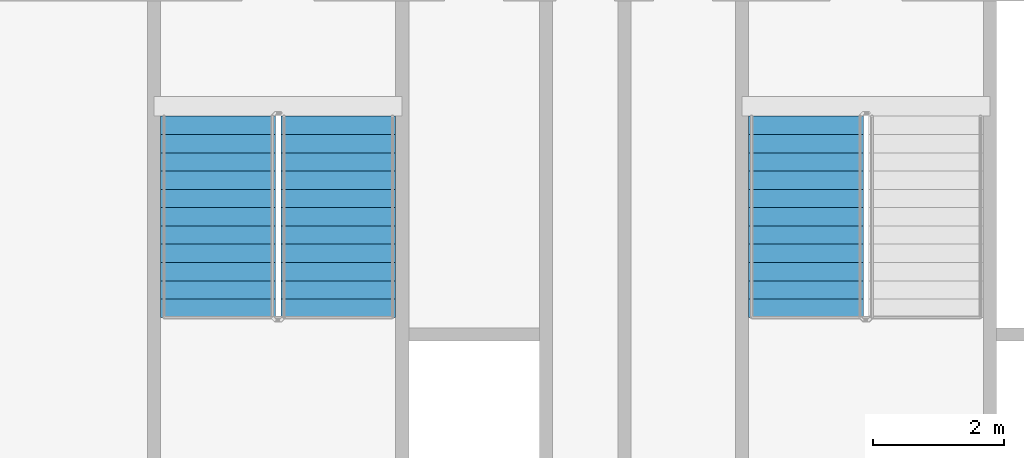
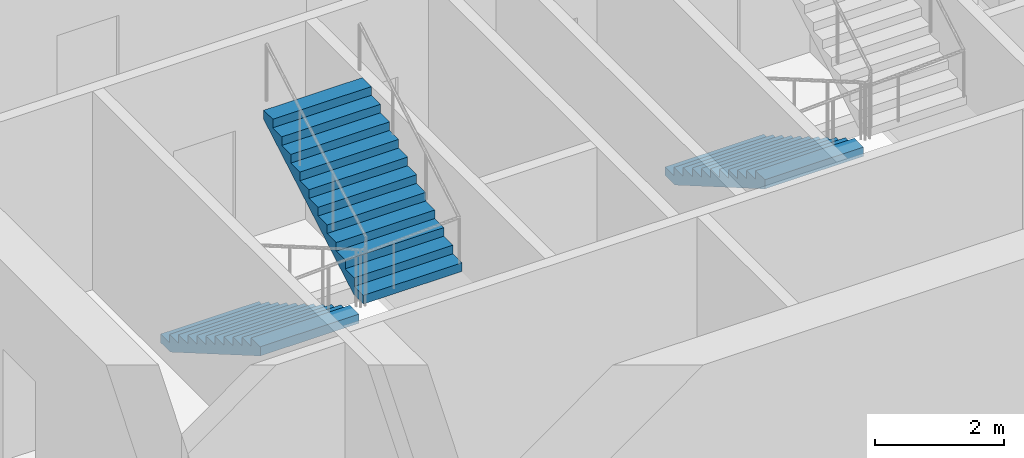
# One storey, part 8 of 15: 3 stair flights, 2 elements without a shape of their own.
"""IFC4 building model written with IfcOpenShell, lengths in metres."""

from ifc_helpers import new_model, si_unit, direction, frame, origin, place, context, subcontext, project, spatial, faceted_brep, material, type_object, element, aggregate, save


model = new_model("IFC4")

# Units and contexts
model_context = context("Model", 3, precision=1e-05, world=origin(), true_north=direction((0.0, 1.0)))
body_context = subcontext(model_context, "Body", "Model", "MODEL_VIEW")
ifc_project = project(units=[si_unit("LENGTHUNIT", "METRE"), si_unit("AREAUNIT", "SQUARE_METRE"), si_unit("VOLUMEUNIT", "CUBIC_METRE"), si_unit("PLANEANGLEUNIT", "RADIAN"), si_unit("MASSUNIT", "GRAM", prefix="KILO")], contexts=[model_context])

# Site, building, storey
site_placement = place(None, origin())
site = spatial("IfcSite", under=ifc_project, at=site_placement, CompositionType="ELEMENT")
building_placement = place(site_placement, origin())
building = spatial("IfcBuilding", under=site, at=building_placement, Name="Tarsis Ring Headquarters", CompositionType="ELEMENT")
storey_placement = place(building_placement, frame((0.0, 0.0, 151.5)))
storey = spatial("IfcBuildingStorey", under=building, at=storey_placement, Name="L34", CompositionType="ELEMENT", Elevation=151.5)

# Stair, stair flights
ifc_material_1 = material(Name="Core stair 1760")
stair_type = type_object("IfcStairType", Name="Core stair 1760", PredefinedType="HALF_TURN_STAIR", material=ifc_material_1)
stair_1_placement = place(storey_placement, origin())
stair_1 = element("IfcStair", 1, at=stair_1_placement, inside=storey, type_object=stair_type, Name="L34 Exit stair C", PredefinedType="HALF_TURN_STAIR")
ifc_material_2 = material(Name="Concrete C40/50", Category="concrete")
stair_flight_type = type_object("IfcStairFlightType", Name="Core stair flight 1760", PredefinedType="STRAIGHT", material=ifc_material_2)
stair_flight_1_placement = place(storey_placement, frame((-5.419921875, -3.659912109375, 0.0), z_axis=(0.0, 0.0, 1.0), x_axis=(0.0, -1.0, 0.0)))
stair_flight_1 = element("IfcStairFlight", 2, at=stair_flight_1_placement, type_object=stair_flight_type, Name="Stair ST3 flight 1", NumberOfRisers=12, NumberOfTreads=11, PredefinedType="STRAIGHT", RiserHeight=0.1625, TreadLength=0.28, context=body_context, shape_type="Brep", body=[
    faceted_brep([(0.0, 0.8798828125, 0.0), (0.0, 0.8798828125, 0.16259765625), (0.280029296875, 0.8798828125, 0.16259765625), (0.280029296875, 0.8798828125, 0.324951171875), (0.56005859375, 0.8798828125, 0.324951171875), (0.56005859375, 0.8798828125, 0.487548828125), (0.840087890625, 0.8798828125, 0.487548828125), (0.840087890625, 0.8798828125, 0.64990234375), (1.1201171875, 0.8798828125, 0.64990234375), (1.1201171875, 0.8798828125, 0.8125), (1.39990234375, 0.8798828125, 0.8125), (1.39990234375, 0.8798828125, 0.97509765625), (1.679931640625, 0.8798828125, 0.97509765625), (1.679931640625, 0.8798828125, 1.137451171875), (1.9599609375, 0.8798828125, 1.137451171875), (1.9599609375, 0.8798828125, 1.300048828125), (2.239990234375, 0.8798828125, 1.300048828125), (2.239990234375, 0.8798828125, 1.46240234375), (2.52001953125, 0.8798828125, 1.46240234375), (2.52001953125, 0.8798828125, 1.625), (2.800048828125, 0.8798828125, 1.625), (2.800048828125, 0.8798828125, 1.78759765625), (3.080078125, 0.8798828125, 1.78759765625), (3.080078125, 0.8798828125, 1.6142578125), (0.298583984375, 0.8798828125, 0.0), (0.298583984375, -0.8798828125, 0.0), (3.080078125, -0.8798828125, 1.6142578125), (3.080078125, -0.8798828125, 1.78759765625), (2.800048828125, -0.8798828125, 1.78759765625), (2.800048828125, -0.8798828125, 1.625), (2.52001953125, -0.8798828125, 1.625), (2.52001953125, -0.8798828125, 1.46240234375), (2.239990234375, -0.8798828125, 1.46240234375), (2.239990234375, -0.8798828125, 1.300048828125), (1.9599609375, -0.8798828125, 1.300048828125), (1.9599609375, -0.8798828125, 1.137451171875), (1.679931640625, -0.8798828125, 1.137451171875), (1.679931640625, -0.8798828125, 0.97509765625), (1.39990234375, -0.8798828125, 0.97509765625), (1.39990234375, -0.8798828125, 0.8125), (1.1201171875, -0.8798828125, 0.8125), (1.1201171875, -0.8798828125, 0.64990234375), (0.840087890625, -0.8798828125, 0.64990234375), (0.840087890625, -0.8798828125, 0.487548828125), (0.56005859375, -0.8798828125, 0.487548828125), (0.56005859375, -0.8798828125, 0.324951171875), (0.280029296875, -0.8798828125, 0.324951171875), (0.280029296875, -0.8798828125, 0.16259765625), (0.0, -0.8798828125, 0.16259765625), (0.0, -0.8798828125, 0.0), (0.0, -0.43994140625, 0.16259765625), (0.0, -0.43994140625, 0.0), (0.0, 0.0, 0.16259765625), (0.0, 0.0, 0.0), (0.0, 0.43994140625, 0.16259765625), (0.0, 0.43994140625, 0.0), (0.280029296875, -0.43994140625, 0.16259765625), (0.280029296875, 0.0, 0.16259765625), (0.280029296875, 0.43994140625, 0.16259765625), (0.280029296875, -0.43994140625, 0.324951171875), (0.280029296875, 0.0, 0.324951171875), (0.280029296875, 0.43994140625, 0.324951171875), (0.56005859375, -0.43994140625, 0.324951171875), (0.56005859375, 0.0, 0.324951171875), (0.56005859375, 0.43994140625, 0.324951171875), (0.56005859375, -0.43994140625, 0.487548828125), (0.56005859375, 0.0, 0.487548828125), (0.56005859375, 0.43994140625, 0.487548828125), (0.840087890625, -0.43994140625, 0.487548828125), (0.840087890625, 0.0, 0.487548828125), (0.840087890625, 0.43994140625, 0.487548828125), (0.840087890625, -0.43994140625, 0.64990234375), (0.840087890625, 0.0, 0.64990234375), (0.840087890625, 0.43994140625, 0.64990234375), (1.1201171875, -0.43994140625, 0.64990234375), (1.1201171875, 0.0, 0.64990234375), (1.1201171875, 0.43994140625, 0.64990234375), (1.1201171875, -0.43994140625, 0.8125), (1.1201171875, 0.0, 0.8125), (1.1201171875, 0.43994140625, 0.8125), (1.39990234375, -0.43994140625, 0.8125), (1.39990234375, 0.0, 0.8125), (1.39990234375, 0.43994140625, 0.8125), (1.39990234375, -0.43994140625, 0.97509765625), (1.39990234375, 0.0, 0.97509765625), (1.39990234375, 0.43994140625, 0.97509765625), (1.679931640625, -0.43994140625, 0.97509765625), (1.679931640625, 0.0, 0.97509765625), (1.679931640625, 0.43994140625, 0.97509765625), (1.679931640625, -0.43994140625, 1.137451171875), (1.679931640625, 0.0, 1.137451171875), (1.679931640625, 0.43994140625, 1.137451171875), (1.9599609375, -0.43994140625, 1.137451171875), (1.9599609375, 0.0, 1.137451171875), (1.9599609375, 0.43994140625, 1.137451171875), (1.9599609375, -0.43994140625, 1.300048828125), (1.9599609375, 0.0, 1.300048828125), (1.9599609375, 0.43994140625, 1.300048828125), (2.239990234375, -0.43994140625, 1.300048828125), (2.239990234375, 0.0, 1.300048828125), (2.239990234375, 0.43994140625, 1.300048828125), (2.239990234375, -0.43994140625, 1.46240234375), (2.239990234375, 0.0, 1.46240234375), (2.239990234375, 0.43994140625, 1.46240234375), (2.52001953125, -0.43994140625, 1.46240234375), (2.52001953125, 0.0, 1.46240234375), (2.52001953125, 0.43994140625, 1.46240234375), (2.52001953125, -0.43994140625, 1.625), (2.52001953125, 0.0, 1.625), (2.52001953125, 0.43994140625, 1.625), (2.800048828125, -0.43994140625, 1.625), (2.800048828125, 0.0, 1.625), (2.800048828125, 0.43994140625, 1.625), (2.800048828125, -0.43994140625, 1.78759765625), (2.800048828125, 0.0, 1.78759765625), (2.800048828125, 0.43994140625, 1.78759765625), (3.080078125, -0.43994140625, 1.78759765625), (3.080078125, 0.0, 1.78759765625), (3.080078125, 0.43994140625, 1.78759765625), (3.080078125, -0.43994140625, 1.6142578125), (3.080078125, 0.0, 1.6142578125), (3.080078125, 0.43994140625, 1.6142578125), (0.298583984375, -0.43994140625, 0.0), (0.298583984375, 0.0, 0.0), (0.298583984375, 0.43994140625, 0.0)], [[[0, 1, 2, 3, 4, 5, 6, 7, 8, 9, 10, 11, 12, 13, 14, 15, 16, 17, 18, 19, 20, 21, 22, 23, 24]], [[25, 26, 27, 28, 29, 30, 31, 32, 33, 34, 35, 36, 37, 38, 39, 40, 41, 42, 43, 44, 45, 46, 47, 48, 49]], [[49, 48, 50, 51]], [[51, 50, 52, 53]], [[53, 52, 54, 55]], [[55, 54, 1, 0]], [[48, 47, 56, 50]], [[50, 56, 57, 52]], [[52, 57, 58, 54]], [[54, 58, 2, 1]], [[47, 46, 59, 56]], [[56, 59, 60, 57]], [[57, 60, 61, 58]], [[58, 61, 3, 2]], [[46, 45, 62, 59]], [[59, 62, 63, 60]], [[60, 63, 64, 61]], [[61, 64, 4, 3]], [[45, 44, 65, 62]], [[62, 65, 66, 63]], [[63, 66, 67, 64]], [[64, 67, 5, 4]], [[44, 43, 68, 65]], [[65, 68, 69, 66]], [[66, 69, 70, 67]], [[67, 70, 6, 5]], [[43, 42, 71, 68]], [[68, 71, 72, 69]], [[69, 72, 73, 70]], [[70, 73, 7, 6]], [[42, 41, 74, 71]], [[71, 74, 75, 72]], [[72, 75, 76, 73]], [[73, 76, 8, 7]], [[41, 40, 77, 74]], [[74, 77, 78, 75]], [[75, 78, 79, 76]], [[76, 79, 9, 8]], [[40, 39, 80, 77]], [[77, 80, 81, 78]], [[78, 81, 82, 79]], [[79, 82, 10, 9]], [[39, 38, 83, 80]], [[80, 83, 84, 81]], [[81, 84, 85, 82]], [[82, 85, 11, 10]], [[38, 37, 86, 83]], [[83, 86, 87, 84]], [[84, 87, 88, 85]], [[85, 88, 12, 11]], [[37, 36, 89, 86]], [[86, 89, 90, 87]], [[87, 90, 91, 88]], [[88, 91, 13, 12]], [[36, 35, 92, 89]], [[89, 92, 93, 90]], [[90, 93, 94, 91]], [[91, 94, 14, 13]], [[35, 34, 95, 92]], [[92, 95, 96, 93]], [[93, 96, 97, 94]], [[94, 97, 15, 14]], [[34, 33, 98, 95]], [[95, 98, 99, 96]], [[96, 99, 100, 97]], [[97, 100, 16, 15]], [[33, 32, 101, 98]], [[98, 101, 102, 99]], [[99, 102, 103, 100]], [[100, 103, 17, 16]], [[32, 31, 104, 101]], [[101, 104, 105, 102]], [[102, 105, 106, 103]], [[103, 106, 18, 17]], [[31, 30, 107, 104]], [[104, 107, 108, 105]], [[105, 108, 109, 106]], [[106, 109, 19, 18]], [[30, 29, 110, 107]], [[107, 110, 111, 108]], [[108, 111, 112, 109]], [[109, 112, 20, 19]], [[29, 28, 113, 110]], [[110, 113, 114, 111]], [[111, 114, 115, 112]], [[112, 115, 21, 20]], [[28, 27, 116, 113]], [[113, 116, 117, 114]], [[114, 117, 118, 115]], [[115, 118, 22, 21]], [[27, 26, 119, 116]], [[116, 119, 120, 117]], [[117, 120, 121, 118]], [[118, 121, 23, 22]], [[26, 25, 122, 119]], [[119, 122, 123, 120]], [[120, 123, 124, 121]], [[121, 124, 24, 23]], [[25, 49, 51, 122]], [[122, 51, 53, 123]], [[123, 53, 55, 124]], [[124, 55, 0, 24]]]),
])
stair_flight_2_placement = place(storey_placement, frame((-3.580078125, -6.739990234375, 1.949951171875), z_axis=(0.0, 0.0, 1.0), x_axis=(0.0, 1.0, 0.0)))
stair_flight_2 = element("IfcStairFlight", 3, at=stair_flight_2_placement, type_object=stair_flight_type, Name="Stair ST3 flight 2", NumberOfRisers=12, NumberOfTreads=11, PredefinedType="STRAIGHT", RiserHeight=0.1625, TreadLength=0.28, context=body_context, shape_type="Brep", body=[
    faceted_brep([(0.0, 0.8798828125, 0.0), (0.0, 0.8798828125, 0.16259765625), (0.280029296875, 0.8798828125, 0.16259765625), (0.280029296875, 0.8798828125, 0.324951171875), (0.56005859375, 0.8798828125, 0.324951171875), (0.56005859375, 0.8798828125, 0.487548828125), (0.840087890625, 0.8798828125, 0.487548828125), (0.840087890625, 0.8798828125, 0.64990234375), (1.1201171875, 0.8798828125, 0.64990234375), (1.1201171875, 0.8798828125, 0.8125), (1.39990234375, 0.8798828125, 0.8125), (1.39990234375, 0.8798828125, 0.97509765625), (1.679931640625, 0.8798828125, 0.97509765625), (1.679931640625, 0.8798828125, 1.137451171875), (1.9599609375, 0.8798828125, 1.137451171875), (1.9599609375, 0.8798828125, 1.300048828125), (2.239990234375, 0.8798828125, 1.300048828125), (2.239990234375, 0.8798828125, 1.46240234375), (2.52001953125, 0.8798828125, 1.46240234375), (2.52001953125, 0.8798828125, 1.625), (2.800048828125, 0.8798828125, 1.625), (2.800048828125, 0.8798828125, 1.78759765625), (3.080078125, 0.8798828125, 1.78759765625), (3.080078125, 0.8798828125, 1.6142578125), (0.298583984375, 0.8798828125, 0.0), (0.298583984375, -0.8798828125, 0.0), (3.080078125, -0.8798828125, 1.6142578125), (3.080078125, -0.8798828125, 1.78759765625), (2.800048828125, -0.8798828125, 1.78759765625), (2.800048828125, -0.8798828125, 1.625), (2.52001953125, -0.8798828125, 1.625), (2.52001953125, -0.8798828125, 1.46240234375), (2.239990234375, -0.8798828125, 1.46240234375), (2.239990234375, -0.8798828125, 1.300048828125), (1.9599609375, -0.8798828125, 1.300048828125), (1.9599609375, -0.8798828125, 1.137451171875), (1.679931640625, -0.8798828125, 1.137451171875), (1.679931640625, -0.8798828125, 0.97509765625), (1.39990234375, -0.8798828125, 0.97509765625), (1.39990234375, -0.8798828125, 0.8125), (1.1201171875, -0.8798828125, 0.8125), (1.1201171875, -0.8798828125, 0.64990234375), (0.840087890625, -0.8798828125, 0.64990234375), (0.840087890625, -0.8798828125, 0.487548828125), (0.56005859375, -0.8798828125, 0.487548828125), (0.56005859375, -0.8798828125, 0.324951171875), (0.280029296875, -0.8798828125, 0.324951171875), (0.280029296875, -0.8798828125, 0.16259765625), (0.0, -0.8798828125, 0.16259765625), (0.0, -0.8798828125, 0.0), (0.0, -0.43994140625, 0.16259765625), (0.0, -0.43994140625, 0.0), (0.0, 0.0, 0.16259765625), (0.0, 0.0, 0.0), (0.0, 0.43994140625, 0.16259765625), (0.0, 0.43994140625, 0.0), (0.280029296875, -0.43994140625, 0.16259765625), (0.280029296875, 0.0, 0.16259765625), (0.280029296875, 0.43994140625, 0.16259765625), (0.280029296875, -0.43994140625, 0.324951171875), (0.280029296875, 0.0, 0.324951171875), (0.280029296875, 0.43994140625, 0.324951171875), (0.56005859375, -0.43994140625, 0.324951171875), (0.56005859375, 0.0, 0.324951171875), (0.56005859375, 0.43994140625, 0.324951171875), (0.56005859375, -0.43994140625, 0.487548828125), (0.56005859375, 0.0, 0.487548828125), (0.56005859375, 0.43994140625, 0.487548828125), (0.840087890625, -0.43994140625, 0.487548828125), (0.840087890625, 0.0, 0.487548828125), (0.840087890625, 0.43994140625, 0.487548828125), (0.840087890625, -0.43994140625, 0.64990234375), (0.840087890625, 0.0, 0.64990234375), (0.840087890625, 0.43994140625, 0.64990234375), (1.1201171875, -0.43994140625, 0.64990234375), (1.1201171875, 0.0, 0.64990234375), (1.1201171875, 0.43994140625, 0.64990234375), (1.1201171875, -0.43994140625, 0.8125), (1.1201171875, 0.0, 0.8125), (1.1201171875, 0.43994140625, 0.8125), (1.39990234375, -0.43994140625, 0.8125), (1.39990234375, 0.0, 0.8125), (1.39990234375, 0.43994140625, 0.8125), (1.39990234375, -0.43994140625, 0.97509765625), (1.39990234375, 0.0, 0.97509765625), (1.39990234375, 0.43994140625, 0.97509765625), (1.679931640625, -0.43994140625, 0.97509765625), (1.679931640625, 0.0, 0.97509765625), (1.679931640625, 0.43994140625, 0.97509765625), (1.679931640625, -0.43994140625, 1.137451171875), (1.679931640625, 0.0, 1.137451171875), (1.679931640625, 0.43994140625, 1.137451171875), (1.9599609375, -0.43994140625, 1.137451171875), (1.9599609375, 0.0, 1.137451171875), (1.9599609375, 0.43994140625, 1.137451171875), (1.9599609375, -0.43994140625, 1.300048828125), (1.9599609375, 0.0, 1.300048828125), (1.9599609375, 0.43994140625, 1.300048828125), (2.239990234375, -0.43994140625, 1.300048828125), (2.239990234375, 0.0, 1.300048828125), (2.239990234375, 0.43994140625, 1.300048828125), (2.239990234375, -0.43994140625, 1.46240234375), (2.239990234375, 0.0, 1.46240234375), (2.239990234375, 0.43994140625, 1.46240234375), (2.52001953125, -0.43994140625, 1.46240234375), (2.52001953125, 0.0, 1.46240234375), (2.52001953125, 0.43994140625, 1.46240234375), (2.52001953125, -0.43994140625, 1.625), (2.52001953125, 0.0, 1.625), (2.52001953125, 0.43994140625, 1.625), (2.800048828125, -0.43994140625, 1.625), (2.800048828125, 0.0, 1.625), (2.800048828125, 0.43994140625, 1.625), (2.800048828125, -0.43994140625, 1.78759765625), (2.800048828125, 0.0, 1.78759765625), (2.800048828125, 0.43994140625, 1.78759765625), (3.080078125, -0.43994140625, 1.78759765625), (3.080078125, 0.0, 1.78759765625), (3.080078125, 0.43994140625, 1.78759765625), (3.080078125, -0.43994140625, 1.6142578125), (3.080078125, 0.0, 1.6142578125), (3.080078125, 0.43994140625, 1.6142578125), (0.298583984375, -0.43994140625, 0.0), (0.298583984375, 0.0, 0.0), (0.298583984375, 0.43994140625, 0.0)], [[[0, 1, 2, 3, 4, 5, 6, 7, 8, 9, 10, 11, 12, 13, 14, 15, 16, 17, 18, 19, 20, 21, 22, 23, 24]], [[25, 26, 27, 28, 29, 30, 31, 32, 33, 34, 35, 36, 37, 38, 39, 40, 41, 42, 43, 44, 45, 46, 47, 48, 49]], [[49, 48, 50, 51]], [[51, 50, 52, 53]], [[53, 52, 54, 55]], [[55, 54, 1, 0]], [[48, 47, 56, 50]], [[50, 56, 57, 52]], [[52, 57, 58, 54]], [[54, 58, 2, 1]], [[47, 46, 59, 56]], [[56, 59, 60, 57]], [[57, 60, 61, 58]], [[58, 61, 3, 2]], [[46, 45, 62, 59]], [[59, 62, 63, 60]], [[60, 63, 64, 61]], [[61, 64, 4, 3]], [[45, 44, 65, 62]], [[62, 65, 66, 63]], [[63, 66, 67, 64]], [[64, 67, 5, 4]], [[44, 43, 68, 65]], [[65, 68, 69, 66]], [[66, 69, 70, 67]], [[67, 70, 6, 5]], [[43, 42, 71, 68]], [[68, 71, 72, 69]], [[69, 72, 73, 70]], [[70, 73, 7, 6]], [[42, 41, 74, 71]], [[71, 74, 75, 72]], [[72, 75, 76, 73]], [[73, 76, 8, 7]], [[41, 40, 77, 74]], [[74, 77, 78, 75]], [[75, 78, 79, 76]], [[76, 79, 9, 8]], [[40, 39, 80, 77]], [[77, 80, 81, 78]], [[78, 81, 82, 79]], [[79, 82, 10, 9]], [[39, 38, 83, 80]], [[80, 83, 84, 81]], [[81, 84, 85, 82]], [[82, 85, 11, 10]], [[38, 37, 86, 83]], [[83, 86, 87, 84]], [[84, 87, 88, 85]], [[85, 88, 12, 11]], [[37, 36, 89, 86]], [[86, 89, 90, 87]], [[87, 90, 91, 88]], [[88, 91, 13, 12]], [[36, 35, 92, 89]], [[89, 92, 93, 90]], [[90, 93, 94, 91]], [[91, 94, 14, 13]], [[35, 34, 95, 92]], [[92, 95, 96, 93]], [[93, 96, 97, 94]], [[94, 97, 15, 14]], [[34, 33, 98, 95]], [[95, 98, 99, 96]], [[96, 99, 100, 97]], [[97, 100, 16, 15]], [[33, 32, 101, 98]], [[98, 101, 102, 99]], [[99, 102, 103, 100]], [[100, 103, 17, 16]], [[32, 31, 104, 101]], [[101, 104, 105, 102]], [[102, 105, 106, 103]], [[103, 106, 18, 17]], [[31, 30, 107, 104]], [[104, 107, 108, 105]], [[105, 108, 109, 106]], [[106, 109, 19, 18]], [[30, 29, 110, 107]], [[107, 110, 111, 108]], [[108, 111, 112, 109]], [[109, 112, 20, 19]], [[29, 28, 113, 110]], [[110, 113, 114, 111]], [[111, 114, 115, 112]], [[112, 115, 21, 20]], [[28, 27, 116, 113]], [[113, 116, 117, 114]], [[114, 117, 118, 115]], [[115, 118, 22, 21]], [[27, 26, 119, 116]], [[116, 119, 120, 117]], [[117, 120, 121, 118]], [[118, 121, 23, 22]], [[26, 25, 122, 119]], [[119, 122, 123, 120]], [[120, 123, 124, 121]], [[121, 124, 24, 23]], [[25, 49, 51, 122]], [[122, 51, 53, 123]], [[123, 53, 55, 124]], [[124, 55, 0, 24]]]),
])
aggregate(stair_1, [stair_flight_1, stair_flight_2])

# Stair, stair flight
stair_2_placement = place(storey_placement, origin())
stair_2 = element("IfcStair", 4, at=stair_2_placement, inside=storey, type_object=stair_type, Name="L34 Exit stair D", PredefinedType="HALF_TURN_STAIR")
stair_flight_3_placement = place(storey_placement, frame((3.580078125, -3.659912109375, 0.0), z_axis=(0.0, 0.0, 1.0), x_axis=(0.0, -1.0, 0.0)))
stair_flight_3 = element("IfcStairFlight", 5, at=stair_flight_3_placement, type_object=stair_flight_type, Name="Stair ST4 flight 1", NumberOfRisers=12, NumberOfTreads=11, PredefinedType="STRAIGHT", RiserHeight=0.1625, TreadLength=0.28, context=body_context, shape_type="Brep", body=[
    faceted_brep([(0.0, 0.8798828125, 0.0), (0.0, 0.8798828125, 0.16259765625), (0.280029296875, 0.8798828125, 0.16259765625), (0.280029296875, 0.8798828125, 0.324951171875), (0.56005859375, 0.8798828125, 0.324951171875), (0.56005859375, 0.8798828125, 0.487548828125), (0.840087890625, 0.8798828125, 0.487548828125), (0.840087890625, 0.8798828125, 0.64990234375), (1.1201171875, 0.8798828125, 0.64990234375), (1.1201171875, 0.8798828125, 0.8125), (1.39990234375, 0.8798828125, 0.8125), (1.39990234375, 0.8798828125, 0.97509765625), (1.679931640625, 0.8798828125, 0.97509765625), (1.679931640625, 0.8798828125, 1.137451171875), (1.9599609375, 0.8798828125, 1.137451171875), (1.9599609375, 0.8798828125, 1.300048828125), (2.239990234375, 0.8798828125, 1.300048828125), (2.239990234375, 0.8798828125, 1.46240234375), (2.52001953125, 0.8798828125, 1.46240234375), (2.52001953125, 0.8798828125, 1.625), (2.800048828125, 0.8798828125, 1.625), (2.800048828125, 0.8798828125, 1.78759765625), (3.080078125, 0.8798828125, 1.78759765625), (3.080078125, 0.8798828125, 1.6142578125), (0.298583984375, 0.8798828125, 0.0), (0.298583984375, -0.8798828125, 0.0), (3.080078125, -0.8798828125, 1.6142578125), (3.080078125, -0.8798828125, 1.78759765625), (2.800048828125, -0.8798828125, 1.78759765625), (2.800048828125, -0.8798828125, 1.625), (2.52001953125, -0.8798828125, 1.625), (2.52001953125, -0.8798828125, 1.46240234375), (2.239990234375, -0.8798828125, 1.46240234375), (2.239990234375, -0.8798828125, 1.300048828125), (1.9599609375, -0.8798828125, 1.300048828125), (1.9599609375, -0.8798828125, 1.137451171875), (1.679931640625, -0.8798828125, 1.137451171875), (1.679931640625, -0.8798828125, 0.97509765625), (1.39990234375, -0.8798828125, 0.97509765625), (1.39990234375, -0.8798828125, 0.8125), (1.1201171875, -0.8798828125, 0.8125), (1.1201171875, -0.8798828125, 0.64990234375), (0.840087890625, -0.8798828125, 0.64990234375), (0.840087890625, -0.8798828125, 0.487548828125), (0.56005859375, -0.8798828125, 0.487548828125), (0.56005859375, -0.8798828125, 0.324951171875), (0.280029296875, -0.8798828125, 0.324951171875), (0.280029296875, -0.8798828125, 0.16259765625), (0.0, -0.8798828125, 0.16259765625), (0.0, -0.8798828125, 0.0), (0.0, -0.43994140625, 0.16259765625), (0.0, -0.43994140625, 0.0), (0.0, 0.0, 0.16259765625), (0.0, 0.0, 0.0), (0.0, 0.43994140625, 0.16259765625), (0.0, 0.43994140625, 0.0), (0.280029296875, -0.43994140625, 0.16259765625), (0.280029296875, 0.0, 0.16259765625), (0.280029296875, 0.43994140625, 0.16259765625), (0.280029296875, -0.43994140625, 0.324951171875), (0.280029296875, 0.0, 0.324951171875), (0.280029296875, 0.43994140625, 0.324951171875), (0.56005859375, -0.43994140625, 0.324951171875), (0.56005859375, 0.0, 0.324951171875), (0.56005859375, 0.43994140625, 0.324951171875), (0.56005859375, -0.43994140625, 0.487548828125), (0.56005859375, 0.0, 0.487548828125), (0.56005859375, 0.43994140625, 0.487548828125), (0.840087890625, -0.43994140625, 0.487548828125), (0.840087890625, 0.0, 0.487548828125), (0.840087890625, 0.43994140625, 0.487548828125), (0.840087890625, -0.43994140625, 0.64990234375), (0.840087890625, 0.0, 0.64990234375), (0.840087890625, 0.43994140625, 0.64990234375), (1.1201171875, -0.43994140625, 0.64990234375), (1.1201171875, 0.0, 0.64990234375), (1.1201171875, 0.43994140625, 0.64990234375), (1.1201171875, -0.43994140625, 0.8125), (1.1201171875, 0.0, 0.8125), (1.1201171875, 0.43994140625, 0.8125), (1.39990234375, -0.43994140625, 0.8125), (1.39990234375, 0.0, 0.8125), (1.39990234375, 0.43994140625, 0.8125), (1.39990234375, -0.43994140625, 0.97509765625), (1.39990234375, 0.0, 0.97509765625), (1.39990234375, 0.43994140625, 0.97509765625), (1.679931640625, -0.43994140625, 0.97509765625), (1.679931640625, 0.0, 0.97509765625), (1.679931640625, 0.43994140625, 0.97509765625), (1.679931640625, -0.43994140625, 1.137451171875), (1.679931640625, 0.0, 1.137451171875), (1.679931640625, 0.43994140625, 1.137451171875), (1.9599609375, -0.43994140625, 1.137451171875), (1.9599609375, 0.0, 1.137451171875), (1.9599609375, 0.43994140625, 1.137451171875), (1.9599609375, -0.43994140625, 1.300048828125), (1.9599609375, 0.0, 1.300048828125), (1.9599609375, 0.43994140625, 1.300048828125), (2.239990234375, -0.43994140625, 1.300048828125), (2.239990234375, 0.0, 1.300048828125), (2.239990234375, 0.43994140625, 1.300048828125), (2.239990234375, -0.43994140625, 1.46240234375), (2.239990234375, 0.0, 1.46240234375), (2.239990234375, 0.43994140625, 1.46240234375), (2.52001953125, -0.43994140625, 1.46240234375), (2.52001953125, 0.0, 1.46240234375), (2.52001953125, 0.43994140625, 1.46240234375), (2.52001953125, -0.43994140625, 1.625), (2.52001953125, 0.0, 1.625), (2.52001953125, 0.43994140625, 1.625), (2.800048828125, -0.43994140625, 1.625), (2.800048828125, 0.0, 1.625), (2.800048828125, 0.43994140625, 1.625), (2.800048828125, -0.43994140625, 1.78759765625), (2.800048828125, 0.0, 1.78759765625), (2.800048828125, 0.43994140625, 1.78759765625), (3.080078125, -0.43994140625, 1.78759765625), (3.080078125, 0.0, 1.78759765625), (3.080078125, 0.43994140625, 1.78759765625), (3.080078125, -0.43994140625, 1.6142578125), (3.080078125, 0.0, 1.6142578125), (3.080078125, 0.43994140625, 1.6142578125), (0.298583984375, -0.43994140625, 0.0), (0.298583984375, 0.0, 0.0), (0.298583984375, 0.43994140625, 0.0)], [[[0, 1, 2, 3, 4, 5, 6, 7, 8, 9, 10, 11, 12, 13, 14, 15, 16, 17, 18, 19, 20, 21, 22, 23, 24]], [[25, 26, 27, 28, 29, 30, 31, 32, 33, 34, 35, 36, 37, 38, 39, 40, 41, 42, 43, 44, 45, 46, 47, 48, 49]], [[49, 48, 50, 51]], [[51, 50, 52, 53]], [[53, 52, 54, 55]], [[55, 54, 1, 0]], [[48, 47, 56, 50]], [[50, 56, 57, 52]], [[52, 57, 58, 54]], [[54, 58, 2, 1]], [[47, 46, 59, 56]], [[56, 59, 60, 57]], [[57, 60, 61, 58]], [[58, 61, 3, 2]], [[46, 45, 62, 59]], [[59, 62, 63, 60]], [[60, 63, 64, 61]], [[61, 64, 4, 3]], [[45, 44, 65, 62]], [[62, 65, 66, 63]], [[63, 66, 67, 64]], [[64, 67, 5, 4]], [[44, 43, 68, 65]], [[65, 68, 69, 66]], [[66, 69, 70, 67]], [[67, 70, 6, 5]], [[43, 42, 71, 68]], [[68, 71, 72, 69]], [[69, 72, 73, 70]], [[70, 73, 7, 6]], [[42, 41, 74, 71]], [[71, 74, 75, 72]], [[72, 75, 76, 73]], [[73, 76, 8, 7]], [[41, 40, 77, 74]], [[74, 77, 78, 75]], [[75, 78, 79, 76]], [[76, 79, 9, 8]], [[40, 39, 80, 77]], [[77, 80, 81, 78]], [[78, 81, 82, 79]], [[79, 82, 10, 9]], [[39, 38, 83, 80]], [[80, 83, 84, 81]], [[81, 84, 85, 82]], [[82, 85, 11, 10]], [[38, 37, 86, 83]], [[83, 86, 87, 84]], [[84, 87, 88, 85]], [[85, 88, 12, 11]], [[37, 36, 89, 86]], [[86, 89, 90, 87]], [[87, 90, 91, 88]], [[88, 91, 13, 12]], [[36, 35, 92, 89]], [[89, 92, 93, 90]], [[90, 93, 94, 91]], [[91, 94, 14, 13]], [[35, 34, 95, 92]], [[92, 95, 96, 93]], [[93, 96, 97, 94]], [[94, 97, 15, 14]], [[34, 33, 98, 95]], [[95, 98, 99, 96]], [[96, 99, 100, 97]], [[97, 100, 16, 15]], [[33, 32, 101, 98]], [[98, 101, 102, 99]], [[99, 102, 103, 100]], [[100, 103, 17, 16]], [[32, 31, 104, 101]], [[101, 104, 105, 102]], [[102, 105, 106, 103]], [[103, 106, 18, 17]], [[31, 30, 107, 104]], [[104, 107, 108, 105]], [[105, 108, 109, 106]], [[106, 109, 19, 18]], [[30, 29, 110, 107]], [[107, 110, 111, 108]], [[108, 111, 112, 109]], [[109, 112, 20, 19]], [[29, 28, 113, 110]], [[110, 113, 114, 111]], [[111, 114, 115, 112]], [[112, 115, 21, 20]], [[28, 27, 116, 113]], [[113, 116, 117, 114]], [[114, 117, 118, 115]], [[115, 118, 22, 21]], [[27, 26, 119, 116]], [[116, 119, 120, 117]], [[117, 120, 121, 118]], [[118, 121, 23, 22]], [[26, 25, 122, 119]], [[119, 122, 123, 120]], [[120, 123, 124, 121]], [[121, 124, 24, 23]], [[25, 49, 51, 122]], [[122, 51, 53, 123]], [[123, 53, 55, 124]], [[124, 55, 0, 24]]]),
])
aggregate(stair_2, [stair_flight_3])

save(model, "model.ifc")
